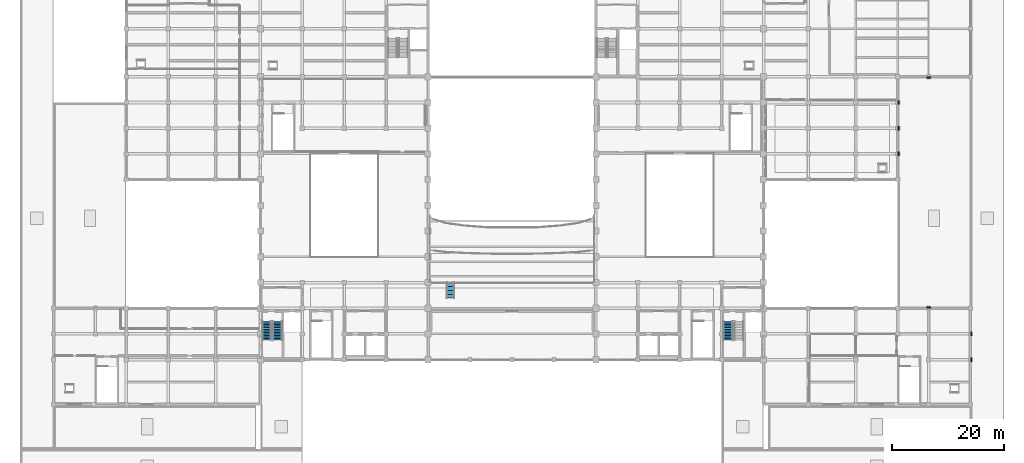
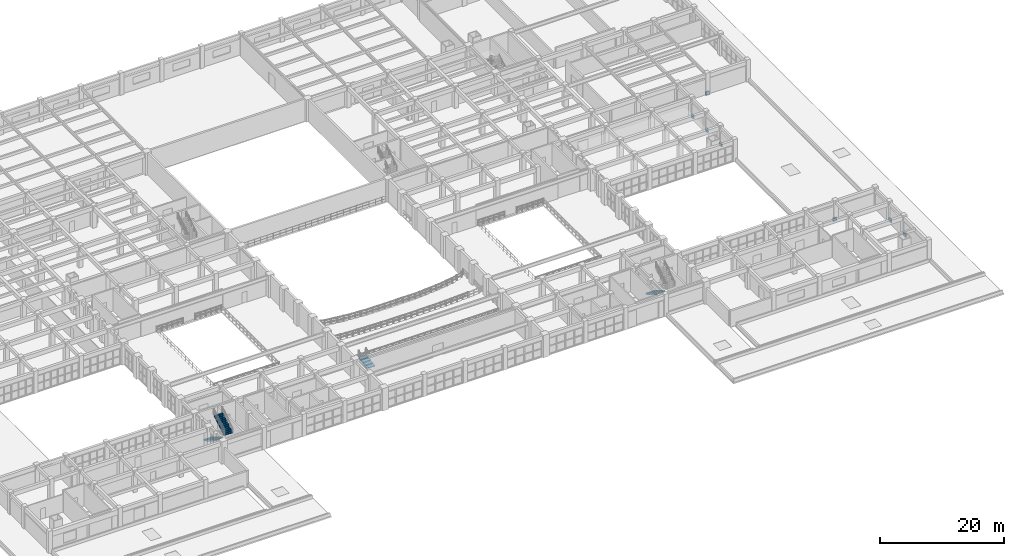
# One storey, part 80 of 90: 7 walls, 4 stair flights, 3 elements without a shape of their own.
"""IFC4 building model written with IfcOpenShell, lengths in metres."""

from ifc_helpers import new_model, si_unit, direction, frame, frame_2d, origin, place, context, subcontext, project, spatial, polyline, rectangle, outline, extrude, material, layer, layer_set, type_object, element, aggregate, save


model = new_model("IFC4")

# Units and contexts
model_context = context("Model", 3, precision=1e-05, world=origin(), true_north=direction((0.0, 1.0)))
body_context = subcontext(model_context, "Body", "Model", "MODEL_VIEW")
ifc_project = project(units=[si_unit("LENGTHUNIT", "METRE"), si_unit("AREAUNIT", "SQUARE_METRE"), si_unit("VOLUMEUNIT", "CUBIC_METRE"), si_unit("PLANEANGLEUNIT", "RADIAN"), si_unit("MASSUNIT", "GRAM", prefix="KILO")], contexts=[model_context])

# Site, building, storey
site_placement = place(None, origin())
site = spatial("IfcSite", under=ifc_project, at=site_placement, CompositionType="ELEMENT")
building_placement = place(site_placement, origin())
building = spatial("IfcBuilding", under=site, at=building_placement, Name="Muzn Square Opera House", CompositionType="ELEMENT")
storey_placement = place(building_placement, frame((0.0, 0.0, 9.800048828125)))
storey = spatial("IfcBuildingStorey", under=building, at=storey_placement, Name="L02", CompositionType="ELEMENT", Elevation=9.800048828125)

# Walls
ifc_material_1 = material(Name="Precast concrete C40/50", Category="concrete")
ifc_layer = layer(ifc_material_1, 0.239990234375, Name="Precast concrete C40/50", Category="concrete")
ifc_layer_set = layer_set([ifc_layer], Name="Precast concrete C40/50")
wall_type = type_object("IfcWallType", Name="Roof Parapet Wall 240mm", PredefinedType="PARAPET", material=ifc_layer_set)
for number, where, z_axis, x_axis, name in (
    (1, (170.14990234375, 21.64501953125, 0.0), (0.0, 0.0, 1.0), (0.0, 1.0, 0.0), "Roof Parapet ROOF-L02-COL-EB-W"),
    (2, (170.14990234375, 26.2451171875, 0.0), (0.0, 0.0, 1.0), (0.0, 1.0, 0.0), "Roof Parapet ROOF-L02-COL-EB-W"),
    (3, (157.14990234375, 58.445068359375, 0.0), (0.0, 0.0, 1.0), (0.0, 1.0, 0.0), "Roof Parapet ROOF-L02-EOUTER-W"),
    (4, (157.14990234375, 63.044921875, 0.0), (0.0, 0.0, 1.0), (0.0, 1.0, 0.0), "Roof Parapet ROOF-L02-EOUTER-W"),
    (5, (157.14990234375, 67.64501953125, 0.0), (0.0, 0.0, 1.0), (0.0, 1.0, 0.0), "Roof Parapet ROOF-L02-EOUTER-W"),
    (6, (162.14501953125, 31.35009765625, 0.0), (0.0, 0.0, 1.0), (1.0, 0.0, 0.0), "Roof Parapet ROOF-L02-EOUTER-S"),
    (7, (162.14501953125, 72.449951171875, 0.0), (0.0, 0.0, 1.0), (1.0, 0.0, 0.0), "Roof Parapet ROOF-L02-EOUTER-N"),
):
    element("IfcWall", number, at=place(storey_placement, frame(where, z_axis=z_axis, x_axis=x_axis)), inside=storey, type_object=wall_type, Name=name, PredefinedType="PARAPET", context=body_context, shape_type="SweptSolid", body=[
        extrude(rectangle(XDim=0.7099609375, YDim=0.239990234375, at=frame_2d((0.35498046875, 0.0))), origin(), (0.0, 0.0, 1.0), 0.64990234375),
    ])

# Stair, stair flights
ifc_material_2 = material(Name="Concrete C40/50", Category="concrete")
stair_type_1 = type_object("IfcStairType", Name="Core Escape Dogleg Stair", PredefinedType="HALF_TURN_STAIR", material=ifc_material_2)
stair_1_placement = place(storey_placement, origin())
stair_1 = element("IfcStair", 8, at=stair_1_placement, inside=storey, type_object=stair_type_1, Name="L02 Escape Stair ST-3", PredefinedType="HALF_TURN_STAIR")
stair_flight_type_1 = type_object("IfcStairFlightType", Name="Core Stair Flight 1660mm", PredefinedType="STRAIGHT", material=ifc_material_2)
stair_flight_1_placement = place(storey_placement, frame((44.1298828125, 28.840087890625, 0.0), z_axis=(0.0, 0.0, 1.0), x_axis=(0.0, -1.0, 0.0)))
stair_flight_1 = element("IfcStairFlight", 9, at=stair_flight_1_placement, type_object=stair_flight_type_1, Name="ST-3 flight 1", NumberOfRisers=13, NumberOfTreads=12, PredefinedType="STRAIGHT", RiserHeight=0.169230769, TreadLength=0.28, context=body_context, shape_type="SweptSolid", body=[
    extrude(outline(polyline([(0.0, 0.0), (0.0, 0.169189453125), (0.280029296875, 0.169189453125), (0.280029296875, 0.33837890625), (0.56005859375, 0.33837890625), (0.56005859375, 0.5078125), (0.840087890625, 0.5078125), (0.840087890625, 0.677001953125), (1.1201171875, 0.677001953125), (1.1201171875, 0.84619140625), (1.39990234375, 0.84619140625), (1.39990234375, 1.015380859375), (1.679931640625, 1.015380859375), (1.679931640625, 1.1845703125), (1.9599609375, 1.1845703125), (1.9599609375, 1.353759765625), (2.239990234375, 1.353759765625), (2.239990234375, 1.523193359375), (2.52001953125, 1.523193359375), (2.52001953125, 1.6923828125), (2.800048828125, 1.6923828125), (2.800048828125, 1.861572265625), (3.080078125, 1.861572265625), (3.080078125, 2.03076171875), (3.360107421875, 2.03076171875), (3.360107421875, 2.199951171875), (3.360107421875, 1.820556640625), (0.347900390625, 0.0), (0.0, 0.0)])), frame((0.0, 0.830078125, 0.0), z_axis=(0.0, -1.0, 0.0), x_axis=(1.0, 0.0, 0.0)), (0.0, 0.0, 1.0), 1.659912109375),
])
stair_flight_2_placement = place(storey_placement, frame((46.070068359375, 25.47998046875, 2.199951171875), z_axis=(0.0, 0.0, 1.0), x_axis=(0.0, 1.0, 0.0)))
stair_flight_2 = element("IfcStairFlight", 10, at=stair_flight_2_placement, type_object=stair_flight_type_1, Name="ST-3 flight 2", NumberOfRisers=13, NumberOfTreads=12, PredefinedType="STRAIGHT", RiserHeight=0.169230769, TreadLength=0.28, context=body_context, shape_type="SweptSolid", body=[
    extrude(outline(polyline([(0.0, 0.0), (0.0, 0.169189453125), (0.280029296875, 0.169189453125), (0.280029296875, 0.33837890625), (0.56005859375, 0.33837890625), (0.56005859375, 0.5078125), (0.840087890625, 0.5078125), (0.840087890625, 0.677001953125), (1.1201171875, 0.677001953125), (1.1201171875, 0.84619140625), (1.39990234375, 0.84619140625), (1.39990234375, 1.015380859375), (1.679931640625, 1.015380859375), (1.679931640625, 1.1845703125), (1.9599609375, 1.1845703125), (1.9599609375, 1.353759765625), (2.239990234375, 1.353759765625), (2.239990234375, 1.523193359375), (2.52001953125, 1.523193359375), (2.52001953125, 1.6923828125), (2.800048828125, 1.6923828125), (2.800048828125, 1.861572265625), (3.080078125, 1.861572265625), (3.080078125, 2.03076171875), (3.360107421875, 2.03076171875), (3.360107421875, 2.199951171875), (3.360107421875, 1.820556640625), (0.347900390625, 0.0), (0.0, 0.0)])), frame((0.0, 0.830078125, 0.0), z_axis=(0.0, -1.0, 0.0), x_axis=(1.0, 0.0, 0.0)), (0.0, 0.0, 1.0), 1.659912109375),
])
aggregate(stair_1, [stair_flight_1, stair_flight_2])

# Stair, stair flight
stair_2_placement = place(storey_placement, origin())
stair_2 = element("IfcStair", 11, at=stair_2_placement, inside=storey, type_object=stair_type_1, Name="L02 Escape Stair ST-4", PredefinedType="HALF_TURN_STAIR")
stair_flight_3_placement = place(storey_placement, frame((126.6298828125, 28.840087890625, 0.0), z_axis=(0.0, 0.0, 1.0), x_axis=(0.0, -1.0, 0.0)))
stair_flight_3 = element("IfcStairFlight", 12, at=stair_flight_3_placement, type_object=stair_flight_type_1, Name="ST-4 flight 1", NumberOfRisers=13, NumberOfTreads=12, PredefinedType="STRAIGHT", RiserHeight=0.169230769, TreadLength=0.28, context=body_context, shape_type="SweptSolid", body=[
    extrude(outline(polyline([(0.0, 0.0), (0.0, 0.169189453125), (0.280029296875, 0.169189453125), (0.280029296875, 0.33837890625), (0.56005859375, 0.33837890625), (0.56005859375, 0.5078125), (0.840087890625, 0.5078125), (0.840087890625, 0.677001953125), (1.1201171875, 0.677001953125), (1.1201171875, 0.84619140625), (1.39990234375, 0.84619140625), (1.39990234375, 1.015380859375), (1.679931640625, 1.015380859375), (1.679931640625, 1.1845703125), (1.9599609375, 1.1845703125), (1.9599609375, 1.353759765625), (2.239990234375, 1.353759765625), (2.239990234375, 1.523193359375), (2.52001953125, 1.523193359375), (2.52001953125, 1.6923828125), (2.800048828125, 1.6923828125), (2.800048828125, 1.861572265625), (3.080078125, 1.861572265625), (3.080078125, 2.03076171875), (3.360107421875, 2.03076171875), (3.360107421875, 2.199951171875), (3.360107421875, 1.820556640625), (0.347900390625, 0.0), (0.0, 0.0)])), frame((0.0, 0.830078125, 0.0), z_axis=(0.0, -1.0, 0.0), x_axis=(1.0, 0.0, 0.0)), (0.0, 0.0, 1.0), 1.659912109375),
])
aggregate(stair_2, [stair_flight_3])

stair_type_2 = type_object("IfcStairType", Name="Auditorium Vomitory Stair", PredefinedType="STRAIGHT_RUN_STAIR", material=ifc_material_2)
stair_3_placement = place(storey_placement, origin())
stair_3 = element("IfcStair", 13, at=stair_3_placement, inside=storey, type_object=stair_type_2, Name="Vomitory Stair VS-07", PredefinedType="STRAIGHT_RUN_STAIR")
stair_flight_type_2 = type_object("IfcStairFlightType", Name="Vomitory Stair Flight 1500mm", PredefinedType="STRAIGHT", material=ifc_material_2)
stair_flight_4_placement = place(storey_placement, frame((77.0, 33.0, 0.0), z_axis=(0.0, 0.0, 1.0), x_axis=(0.0, 1.0, 0.0)))
stair_flight_4 = element("IfcStairFlight", 14, at=stair_flight_4_placement, type_object=stair_flight_type_2, Name="VS-07 flight 1", NumberOfRisers=5, NumberOfTreads=4, PredefinedType="STRAIGHT", RiserHeight=0.144, TreadLength=0.7, context=body_context, shape_type="SweptSolid", body=[
    extrude(outline(polyline([(0.0, 0.0), (0.0, 0.14404296875), (0.699951171875, 0.14404296875), (0.699951171875, 0.2880859375), (1.39990234375, 0.2880859375), (1.39990234375, 0.431884765625), (2.10009765625, 0.431884765625), (2.10009765625, 0.575927734375), (2.800048828125, 0.575927734375), (2.800048828125, 0.719970703125), (2.800048828125, 0.412841796875), (0.793701171875, 0.0), (0.0, 0.0)])), frame((0.0, 0.75, 0.0), z_axis=(0.0, -1.0, 0.0), x_axis=(1.0, 0.0, 0.0)), (0.0, 0.0, 1.0), 1.5),
])
aggregate(stair_3, [stair_flight_4])

save(model, "model.ifc")
